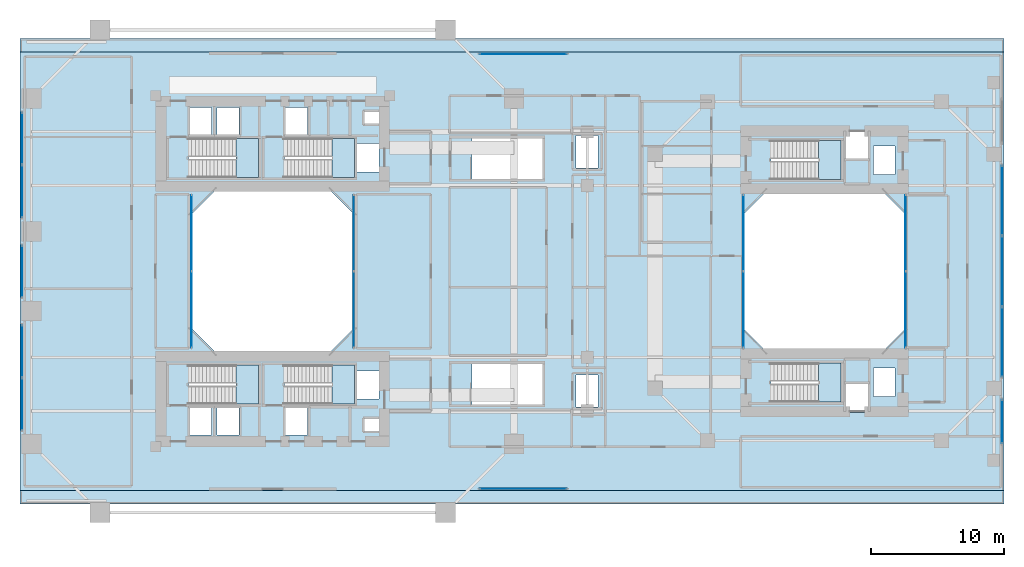
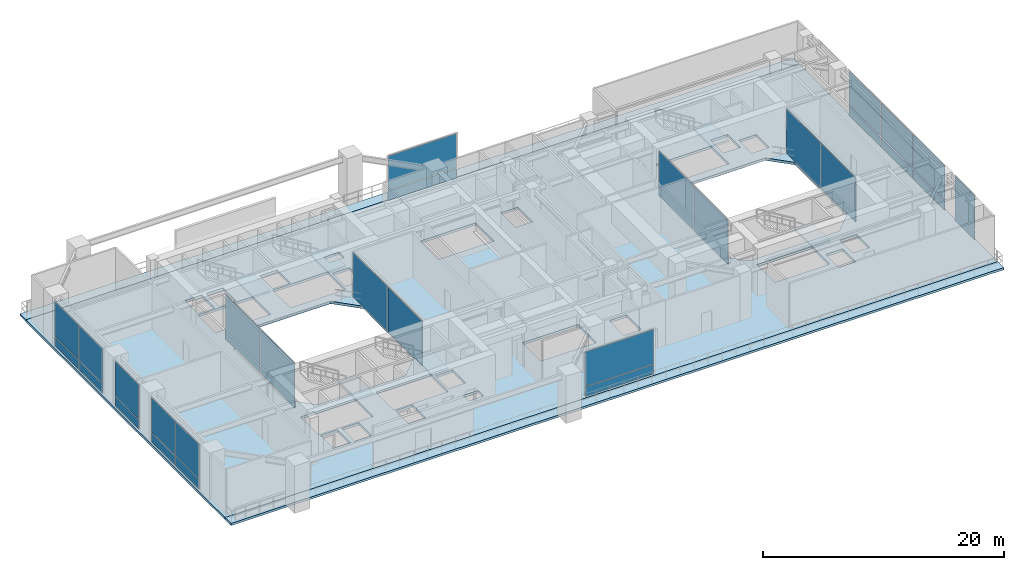
# One storey, part 10 of 19: 30 plates, 9 slabs, 17 elements without a shape of their own.
"""IFC4 building model written with IfcOpenShell, lengths in metres."""

import ifcopenshell
import ifcopenshell.guid

model = None  # the IFC model being written
_history = None  # IfcOwnerHistory: only IFC2X3 demands one
_inside = {}  # id of a spatial element -> (the spatial element, [elements in it])
_under = {}  # id of a project, library or spatial element -> (it, [spatial elements below it])
_declared = {}  # id of a project -> (the project, [libraries it declares])
_typed = {}  # id of a type object -> (the type object, [elements of that type])
_made_of = {}  # id of a material, layer set ... -> (it, [elements and type objects made of it])


def new_model(schema):
    """Start an empty IFC model of exactly this schema.

    Asked for "IFC4X3", IfcOpenShell would pick the latest addendum, in which some entities
    have other attributes; the version numbers below select the first issue.
    IFC2X3 requires an IfcOwnerHistory on every rooted entity: one is made here for all.
    """
    global model, _history
    if schema == "IFC4X3":
        model = ifcopenshell.file(schema_version=(4, 3, 0, 0))
    else:
        model = ifcopenshell.file(schema=schema)
    _inside.clear()
    _under.clear()
    _declared.clear()
    _typed.clear()
    _made_of.clear()
    _history = None
    if model.schema == "IFC2X3":
        org = make("IfcOrganization", Name="unknown")
        user = make(
            "IfcPersonAndOrganization",
            ThePerson=make("IfcPerson", FamilyName="unknown"),
            TheOrganization=org,
        )
        app = make(
            "IfcApplication",
            ApplicationDeveloper=org,
            Version="unknown",
            ApplicationFullName="unknown",
            ApplicationIdentifier="unknown",
        )
        _history = make(
            "IfcOwnerHistory",
            OwningUser=user,
            OwningApplication=app,
            ChangeAction="ADDED",
            CreationDate=0,
        )
    return model


def make(cls, **values):
    """One entity of the class cls with the attributes given. An attribute that is None is left unset."""
    return model.create_entity(
        cls, **{name: value for name, value in values.items() if value is not None}
    )


def rooted(cls, **values):
    """An entity with a GlobalId (a new one), such as an element, a storey or a relation."""
    return make(cls, GlobalId=ifcopenshell.guid.new(), OwnerHistory=_history, **values)


def si_unit(unit_type, name, prefix=None):
    """IfcSIUnit, for example si_unit("LENGTHUNIT", "METRE", prefix="MILLI")."""
    return make("IfcSIUnit", UnitType=unit_type, Prefix=prefix, Name=name)


def assignment(units):
    """IfcUnitAssignment: the units of a project."""
    return None if units is None else make("IfcUnitAssignment", Units=units)


def point(xyz):
    """IfcCartesianPoint."""
    return None if xyz is None else make("IfcCartesianPoint", Coordinates=xyz)


def direction(xyz):
    """IfcDirection."""
    return None if xyz is None else make("IfcDirection", DirectionRatios=xyz)


def frame(location, z_axis=None, x_axis=None):
    """IfcAxis2Placement3D, a coordinate frame: its origin and axes. An axis left out is left unset."""
    return make(
        "IfcAxis2Placement3D",
        Location=point(location),
        Axis=direction(z_axis),
        RefDirection=direction(x_axis),
    )


def frame_2d(location, x_axis=None):
    """IfcAxis2Placement2D, a coordinate frame in the plane: its origin and x axis."""
    return make(
        "IfcAxis2Placement2D", Location=point(location), RefDirection=direction(x_axis)
    )


def origin():
    """The frame at (0, 0, 0) with its axes left unset."""
    return frame((0.0, 0.0, 0.0))


def origin_2d():
    """The frame at (0, 0) in the plane with its x axis left unset."""
    return frame_2d((0.0, 0.0))


def place(relative_to, where):
    """IfcLocalPlacement: puts the frame where relative to a parent placement (None: the world)."""
    return make(
        "IfcLocalPlacement", PlacementRelTo=relative_to, RelativePlacement=where
    )


def context(
    kind, dimensions, precision=None, world=None, true_north=None, identifier=None
):
    """IfcGeometricRepresentationContext, for example the 3D "Model" context."""
    return make(
        "IfcGeometricRepresentationContext",
        ContextIdentifier=identifier,
        ContextType=kind,
        CoordinateSpaceDimension=dimensions,
        Precision=precision,
        WorldCoordinateSystem=world,
        TrueNorth=true_north,
    )


def subcontext(parent, identifier, kind, view, scale=None):
    """IfcGeometricRepresentationSubContext, for example "Body" below "Model"."""
    return make(
        "IfcGeometricRepresentationSubContext",
        ContextIdentifier=identifier,
        ContextType=kind,
        ParentContext=parent,
        TargetScale=scale,
        TargetView=view,
    )


def project(units=None, contexts=None):
    """IfcProject with its units and contexts."""
    return rooted(
        "IfcProject",
        Name="project",
        RepresentationContexts=contexts,
        UnitsInContext=assignment(units),
    )


def spatial(cls, under=None, at=None, **own):
    """A site, building, storey or space (cls), placed at a placement, below another one or the project."""
    s = rooted(cls, ObjectPlacement=at, **own)
    if under is not None:
        _under.setdefault(under.id(), (under, []))[1].append(s)
    return s


def polyline(points):
    """IfcPolyline through the points."""
    return make("IfcPolyline", Points=[point(p) for p in points])


def profile(cls, at=None, kind="AREA", **sizes):
    """A parametric profile (cls). Its sizes go by their IFC names, for example OverallWidth=200.0."""
    return make(cls, ProfileType=kind, Position=at, **sizes)


def rectangle(**sizes):
    """IfcRectangleProfileDef."""
    return profile("IfcRectangleProfileDef", **sizes)


def outline(outer, holes=None, kind="AREA"):
    """IfcArbitraryClosedProfileDef: a profile drawn as a closed curve; with holes, ...WithVoids."""
    if holes is None:
        return make("IfcArbitraryClosedProfileDef", ProfileType=kind, OuterCurve=outer)
    return make(
        "IfcArbitraryProfileDefWithVoids",
        ProfileType=kind,
        OuterCurve=outer,
        InnerCurves=holes,
    )


def extrude(swept, where, along, depth):
    """IfcExtrudedAreaSolid: the profile swept, set in the frame where, extruded along a direction by depth."""
    return make(
        "IfcExtrudedAreaSolid",
        SweptArea=swept,
        Position=where,
        ExtrudedDirection=direction(along),
        Depth=depth,
    )


def shape(context_of_items, identifier, shape_type, items):
    """IfcShapeRepresentation: the items that make up one representation, for example the "Body"."""
    return make(
        "IfcShapeRepresentation",
        ContextOfItems=context_of_items,
        RepresentationIdentifier=identifier,
        RepresentationType=shape_type,
        Items=items,
    )


def source(mapping_origin, context_of_items, identifier, shape_type, items):
    """IfcRepresentationMap: a shape defined once, which mapped items show again and again."""
    return make(
        "IfcRepresentationMap",
        MappingOrigin=mapping_origin,
        MappedRepresentation=shape(context_of_items, identifier, shape_type, items),
    )


def transform(
    local_origin,
    x_axis=None,
    y_axis=None,
    z_axis=None,
    scale=None,
    scale2=None,
    scale3=None,
    uniform=True,
):
    """IfcCartesianTransformationOperator3D, or its non-uniform kind. x_axis, y_axis, z_axis: its Axis1, 2, 3."""
    if uniform:
        return make(
            "IfcCartesianTransformationOperator3D",
            Axis1=direction(x_axis),
            Axis2=direction(y_axis),
            LocalOrigin=point(local_origin),
            Scale=scale,
            Axis3=direction(z_axis),
        )
    return make(
        "IfcCartesianTransformationOperator3DnonUniform",
        Axis1=direction(x_axis),
        Axis2=direction(y_axis),
        LocalOrigin=point(local_origin),
        Scale=scale,
        Axis3=direction(z_axis),
        Scale2=scale2,
        Scale3=scale3,
    )


def mapped(mapping_source, mapping_target):
    """IfcMappedItem: shows the shape of a source again, moved by a transform."""
    return make(
        "IfcMappedItem", MappingSource=mapping_source, MappingTarget=mapping_target
    )


def material(Name=None, Category=None):
    """IfcMaterial."""
    return make("IfcMaterial", Name=Name, Category=Category)


def layer(
    of_material, thickness, ventilated=None, Name=None, Category=None, Priority=None
):
    """IfcMaterialLayer: one layer of a wall or slab, of a material (None: an air gap)."""
    return make(
        "IfcMaterialLayer",
        Material=of_material,
        LayerThickness=thickness,
        IsVentilated=ventilated,
        Name=Name,
        Category=Category,
        Priority=Priority,
    )


def layer_set(layers, Name=None):
    """IfcMaterialLayerSet."""
    return make("IfcMaterialLayerSet", MaterialLayers=layers, LayerSetName=Name)


def made_of(thing, what):
    """Note that an element or type object is made of a material, layer set ...; save() writes the relation."""
    if what is not None:
        _made_of.setdefault(what.id(), (what, []))[1].append(thing)
    return thing


def type_object(cls, material=None, **own):
    """A type object (cls), such as IfcWallType, which elements share."""
    return made_of(rooted(cls, **own), material)


def element(
    cls,
    number,
    at=None,
    inside=None,
    cuts=None,
    type_object=None,
    material=None,
    context=None,
    identifier="Body",
    shape_type=None,
    held_by="IfcProductDefinitionShape",
    body=None,
    shapes=None,
    **own,
):
    """One element of the class cls, such as IfcWall. Its Tag is "e" and its number.

    at: its placement. inside: the storey or other place that contains it. cuts: it is an
    opening in that element (IfcRelVoidsElement). A single representation is given by context,
    identifier, shape_type and body (its items); several are given by shapes. held_by: the class
    of the entity that holds the representations. save() writes the other relations.
    """
    e = rooted(cls, Tag="e%d" % number, ObjectPlacement=at, **own)
    if body is not None:
        shapes = [shape(context, identifier, shape_type, body)]
    if shapes is not None:
        e.Representation = make(held_by, Representations=shapes)
    if inside is not None:
        _inside.setdefault(inside.id(), (inside, []))[1].append(e)
    if cuts is not None:
        rooted(
            "IfcRelVoidsElement", RelatingBuildingElement=cuts, RelatedOpeningElement=e
        )
    if type_object is not None:
        _typed.setdefault(type_object.id(), (type_object, []))[1].append(e)
    return made_of(e, material)


def aggregate(whole, parts):
    """IfcRelAggregates: a whole, such as a stair, and the parts it consists of."""
    return rooted("IfcRelAggregates", RelatingObject=whole, RelatedObjects=parts)


def save(model, path):
    """Write the relations noted so far, then the file.

    IfcRelAggregates (storeys below a building ...), IfcRelContainedInSpatialStructure (elements
    in a storey), IfcRelDefinesByType, IfcRelAssociatesMaterial and IfcRelDeclares: one each for
    every whole, place, type object, material and project.
    """
    for whole, parts in _under.values():
        aggregate(whole, parts)
    for where, things in _inside.values():
        rooted(
            "IfcRelContainedInSpatialStructure",
            RelatedElements=things,
            RelatingStructure=where,
        )
    for kind, things in _typed.values():
        rooted("IfcRelDefinesByType", RelatedObjects=things, RelatingType=kind)
    for what, things in _made_of.values():
        rooted("IfcRelAssociatesMaterial", RelatedObjects=things, RelatingMaterial=what)
    for by, libraries in _declared.values():
        rooted("IfcRelDeclares", RelatingContext=by, RelatedDefinitions=libraries)
    model.write(path)


model = new_model("IFC4")

# Units and contexts
model_context = context("Model", 3, precision=1e-05, world=origin(), true_north=direction((0.0, 1.0)))
body_context = subcontext(model_context, "Body", "Model", "MODEL_VIEW")
ifc_project = project(units=[si_unit("LENGTHUNIT", "METRE"), si_unit("AREAUNIT", "SQUARE_METRE"), si_unit("VOLUMEUNIT", "CUBIC_METRE"), si_unit("PLANEANGLEUNIT", "RADIAN"), si_unit("MASSUNIT", "GRAM", prefix="KILO"), si_unit("THERMODYNAMICTEMPERATUREUNIT", "KELVIN"), si_unit("POWERUNIT", "WATT")], contexts=[model_context])

# Site, building, storey
site_placement = place(None, origin())
site = spatial("IfcSite", under=ifc_project, at=site_placement, CompositionType="ELEMENT")
building_placement = place(site_placement, origin())
building = spatial("IfcBuilding", under=site, at=building_placement, Name="Qiaomeng Ring Towers", CompositionType="ELEMENT")
storey_placement = place(building_placement, frame((0.0, 0.0, 18.199951171875)))
storey = spatial("IfcBuildingStorey", under=building, at=storey_placement, Name="L04", CompositionType="ELEMENT", Elevation=18.199951171875)

# Slab
ifc_material_1 = material(Name="Concrete C40", Category="concrete")
ifc_layer_1 = layer(ifc_material_1, 0.25, Name="Concrete C40")
ifc_layer_set_1 = layer_set([ifc_layer_1], Name="Concrete C40")
slab_type_1 = type_object("IfcSlabType", Name="STR-SL-250", PredefinedType="FLOOR", material=ifc_layer_set_1)
slab_1_placement = place(storey_placement, frame((0.0, 0.0, -0.25)))
element("IfcSlab", 1, at=slab_1_placement, inside=storey, type_object=slab_type_1, Name="L04 Structural Floor Slab", PredefinedType="FLOOR", context=body_context, shape_type="SweptSolid", body=[
    extrude(outline(polyline([(0.0, 6.5), (74.0, 6.5), (74.0, 39.5), (0.0, 39.5), (0.0, 6.5)]), holes=[polyline([(12.780029296875, 12.820068359375), (14.419921875, 12.820068359375), (14.419921875, 10.679931640625), (12.780029296875, 10.679931640625), (12.780029296875, 12.820068359375)]), polyline([(16.469970703125, 12.820068359375), (16.469970703125, 10.679931640625), (14.830078125, 10.679931640625), (14.830078125, 12.820068359375), (16.469970703125, 12.820068359375)]), polyline([(21.6201171875, 12.820068359375), (21.6201171875, 10.679931640625), (19.97998046875, 10.679931640625), (19.97998046875, 12.820068359375), (21.6201171875, 12.820068359375)]), polyline([(27.0, 15.52001953125), (27.0, 13.3798828125), (25.360107421875, 13.3798828125), (25.360107421875, 15.52001953125), (27.0, 15.52001953125)]), polyline([(17.949951171875, 15.949951171875), (17.949951171875, 13.010009765625), (12.679931640625, 13.010009765625), (12.679931640625, 15.949951171875), (17.949951171875, 15.949951171875)]), polyline([(25.14990234375, 15.949951171875), (25.14990234375, 13.010009765625), (19.8798828125, 13.010009765625), (19.8798828125, 15.949951171875), (25.14990234375, 15.949951171875)]), polyline([(25.199951171875, 18.800048828125), (23.199951171875, 16.800048828125), (14.800048828125, 16.800048828125), (12.800048828125, 18.800048828125), (12.800048828125, 27.199951171875), (14.800048828125, 29.199951171875), (23.199951171875, 29.199951171875), (25.199951171875, 27.199951171875), (25.199951171875, 18.800048828125)]), polyline([(12.679931640625, 32.989990234375), (17.949951171875, 32.989990234375), (17.949951171875, 30.050048828125), (12.679931640625, 30.050048828125), (12.679931640625, 32.989990234375)]), polyline([(25.14990234375, 32.989990234375), (25.14990234375, 30.050048828125), (19.8798828125, 30.050048828125), (19.8798828125, 32.989990234375), (25.14990234375, 32.989990234375)]), polyline([(27.0, 32.6201171875), (27.0, 30.47998046875), (25.360107421875, 30.47998046875), (25.360107421875, 32.6201171875), (27.0, 32.6201171875)]), polyline([(14.419921875, 35.320068359375), (14.419921875, 33.179931640625), (12.780029296875, 33.179931640625), (12.780029296875, 35.320068359375), (14.419921875, 35.320068359375)]), polyline([(16.469970703125, 35.320068359375), (16.469970703125, 33.179931640625), (14.830078125, 33.179931640625), (14.830078125, 35.320068359375), (16.469970703125, 35.320068359375)]), polyline([(21.6201171875, 35.320068359375), (21.6201171875, 33.179931640625), (19.97998046875, 33.179931640625), (19.97998046875, 35.320068359375), (21.6201171875, 35.320068359375)]), polyline([(27.360107421875, 35.0), (27.360107421875, 34.10009765625), (25.919921875, 34.10009765625), (25.919921875, 35.0), (27.360107421875, 35.0)]), polyline([(25.919921875, 11.89990234375), (27.360107421875, 11.89990234375), (27.360107421875, 11.0), (25.919921875, 11.0), (25.919921875, 11.89990234375)]), polyline([(63.77001953125, 14.52001953125), (63.77001953125, 12.3798828125), (62.1298828125, 12.3798828125), (62.1298828125, 14.52001953125), (63.77001953125, 14.52001953125)]), polyline([(43.469970703125, 15.219970703125), (43.469970703125, 12.780029296875), (41.830078125, 12.780029296875), (41.830078125, 15.219970703125), (43.469970703125, 15.219970703125)]), polyline([(39.300048828125, 16.0400390625), (39.300048828125, 13.0), (33.989990234375, 13.0), (33.989990234375, 16.0400390625), (39.300048828125, 16.0400390625)]), polyline([(61.75, 16.10009765625), (61.75, 13.159912109375), (56.47998046875, 13.159912109375), (56.47998046875, 16.10009765625), (61.75, 16.10009765625)]), polyline([(65.820068359375, 15.719970703125), (65.820068359375, 13.580078125), (64.179931640625, 13.580078125), (64.179931640625, 15.719970703125), (65.820068359375, 15.719970703125)]), polyline([(66.60009765625, 27.300048828125), (66.60009765625, 18.699951171875), (64.800048828125, 16.89990234375), (56.199951171875, 16.89990234375), (54.39990234375, 18.699951171875), (54.39990234375, 27.300048828125), (56.199951171875, 29.10009765625), (64.800048828125, 29.10009765625), (66.60009765625, 27.300048828125)]), polyline([(65.820068359375, 32.419921875), (65.820068359375, 30.280029296875), (64.179931640625, 30.280029296875), (64.179931640625, 32.419921875), (65.820068359375, 32.419921875)]), polyline([(61.75, 32.840087890625), (61.75, 29.89990234375), (56.47998046875, 29.89990234375), (56.47998046875, 32.840087890625), (61.75, 32.840087890625)]), polyline([(39.300048828125, 33.0), (39.300048828125, 29.9599609375), (33.989990234375, 29.9599609375), (33.989990234375, 33.0), (39.300048828125, 33.0)]), polyline([(43.469970703125, 33.219970703125), (43.469970703125, 30.780029296875), (41.830078125, 30.780029296875), (41.830078125, 33.219970703125), (43.469970703125, 33.219970703125)]), polyline([(63.77001953125, 33.6201171875), (63.77001953125, 31.47998046875), (62.1298828125, 31.47998046875), (62.1298828125, 33.6201171875), (63.77001953125, 33.6201171875)])]), origin(), (0.0, 0.0, 1.0), 0.25),
])

# Stair, slab
ifc_material_2 = material(Name="Precast concrete C40", Category="concrete")
stair_type = type_object("IfcStairType", Name="ARC-ST-480", PredefinedType="HALF_TURN_STAIR", material=ifc_material_2)
stair_1_placement = place(storey_placement, origin())
stair_1 = element("IfcStair", 2, at=stair_1_placement, inside=storey, type_object=stair_type, Name="L04 Tower 1 North Stair 1", PredefinedType="HALF_TURN_STAIR")
ifc_layer_2 = layer(ifc_material_1, 0.199951171875, Name="Concrete C40")
ifc_layer_set_2 = layer_set([ifc_layer_2], Name="Concrete C40")
slab_type_2 = type_object("IfcSlabType", Name="STR-SL-LANDING", PredefinedType="LANDING", material=ifc_layer_set_2)
slab_2_placement = place(storey_placement, frame((0.0, 0.0, 2.199951171875)))
slab_2 = element("IfcSlab", 3, at=slab_2_placement, type_object=slab_type_2, Name="ST1 landing 1", PredefinedType="LANDING", context=body_context, shape_type="SweptSolid", body=[
    extrude(outline(polyline([(16.260009765625, 30.050048828125), (17.949951171875, 30.050048828125), (17.949951171875, 32.989990234375), (16.260009765625, 32.989990234375), (16.260009765625, 30.050048828125)])), origin(), (0.0, 0.0, 1.0), 0.2001953125),
])
aggregate(stair_1, [slab_2])

stair_2_placement = place(storey_placement, origin())
stair_2 = element("IfcStair", 4, at=stair_2_placement, inside=storey, type_object=stair_type, Name="L04 Tower 1 North Stair 2", PredefinedType="HALF_TURN_STAIR")
slab_3_placement = place(storey_placement, frame((0.0, 0.0, 2.199951171875)))
slab_3 = element("IfcSlab", 5, at=slab_3_placement, type_object=slab_type_2, Name="ST2 landing 1", PredefinedType="LANDING", context=body_context, shape_type="SweptSolid", body=[
    extrude(outline(polyline([(23.4599609375, 30.050048828125), (25.14990234375, 30.050048828125), (25.14990234375, 32.989990234375), (23.4599609375, 32.989990234375), (23.4599609375, 30.050048828125)])), origin(), (0.0, 0.0, 1.0), 0.2001953125),
])
aggregate(stair_2, [slab_3])

stair_3_placement = place(storey_placement, origin())
stair_3 = element("IfcStair", 6, at=stair_3_placement, inside=storey, type_object=stair_type, Name="L04 Tower 1 South Stair 3", PredefinedType="HALF_TURN_STAIR")
slab_4_placement = place(storey_placement, frame((0.0, 0.0, 2.199951171875)))
slab_4 = element("IfcSlab", 7, at=slab_4_placement, type_object=slab_type_2, Name="ST3 landing 1", PredefinedType="LANDING", context=body_context, shape_type="SweptSolid", body=[
    extrude(outline(polyline([(16.260009765625, 13.010009765625), (17.949951171875, 13.010009765625), (17.949951171875, 15.949951171875), (16.260009765625, 15.949951171875), (16.260009765625, 13.010009765625)])), origin(), (0.0, 0.0, 1.0), 0.2001953125),
])
aggregate(stair_3, [slab_4])

stair_4_placement = place(storey_placement, origin())
stair_4 = element("IfcStair", 8, at=stair_4_placement, inside=storey, type_object=stair_type, Name="L04 Tower 1 South Stair 4", PredefinedType="HALF_TURN_STAIR")
slab_5_placement = place(storey_placement, frame((0.0, 0.0, 2.199951171875)))
slab_5 = element("IfcSlab", 9, at=slab_5_placement, type_object=slab_type_2, Name="ST4 landing 1", PredefinedType="LANDING", context=body_context, shape_type="SweptSolid", body=[
    extrude(outline(polyline([(23.4599609375, 13.010009765625), (25.14990234375, 13.010009765625), (25.14990234375, 15.949951171875), (23.4599609375, 15.949951171875), (23.4599609375, 13.010009765625)])), origin(), (0.0, 0.0, 1.0), 0.2001953125),
])
aggregate(stair_4, [slab_5])

stair_5_placement = place(storey_placement, origin())
stair_5 = element("IfcStair", 10, at=stair_5_placement, inside=storey, type_object=stair_type, Name="L04 Companion North Stair 5", PredefinedType="HALF_TURN_STAIR")
slab_6_placement = place(storey_placement, frame((0.0, 0.0, 2.199951171875)))
slab_6 = element("IfcSlab", 11, at=slab_6_placement, type_object=slab_type_2, Name="ST5 landing 1", PredefinedType="LANDING", context=body_context, shape_type="SweptSolid", body=[
    extrude(outline(polyline([(60.06005859375, 29.89990234375), (61.75, 29.89990234375), (61.75, 32.840087890625), (60.06005859375, 32.840087890625), (60.06005859375, 29.89990234375)])), origin(), (0.0, 0.0, 1.0), 0.2001953125),
])
aggregate(stair_5, [slab_6])

stair_6_placement = place(storey_placement, origin())
stair_6 = element("IfcStair", 12, at=stair_6_placement, inside=storey, type_object=stair_type, Name="L04 Companion South Stair 6", PredefinedType="HALF_TURN_STAIR")
slab_7_placement = place(storey_placement, frame((0.0, 0.0, 2.199951171875)))
slab_7 = element("IfcSlab", 13, at=slab_7_placement, type_object=slab_type_2, Name="ST6 landing 1", PredefinedType="LANDING", context=body_context, shape_type="SweptSolid", body=[
    extrude(outline(polyline([(60.06005859375, 13.159912109375), (61.75, 13.159912109375), (61.75, 16.10009765625), (60.06005859375, 16.10009765625), (60.06005859375, 13.159912109375)])), origin(), (0.0, 0.0, 1.0), 0.2001953125),
])
aggregate(stair_6, [slab_7])

# Slabs
ifc_layer_3 = layer(ifc_material_1, 0.219970703125, Name="Concrete C40")
ifc_layer_set_3 = layer_set([ifc_layer_3], Name="Concrete C40")
slab_type_3 = type_object("IfcSlabType", Name="STR-SL-TERR220", PredefinedType="FLOOR", material=ifc_layer_set_3)
slab_8_placement = place(storey_placement, frame((0.0, 0.0, -0.219970703125)))
element("IfcSlab", 14, at=slab_8_placement, inside=storey, type_object=slab_type_3, Name="L04 South Planted Podium Roof Terrace Slab", PredefinedType="FLOOR", context=body_context, shape_type="SweptSolid", body=[
    extrude(outline(polyline([(0.0, 5.5), (74.0, 5.5), (74.0, 6.5), (0.0, 6.5), (0.0, 5.5)])), origin(), (0.0, 0.0, 1.0), 0.219970703125),
])
slab_9_placement = place(storey_placement, frame((0.0, 0.0, -0.219970703125)))
element("IfcSlab", 15, at=slab_9_placement, inside=storey, type_object=slab_type_3, Name="L04 North Planted Podium Roof Terrace Slab", PredefinedType="FLOOR", context=body_context, shape_type="SweptSolid", body=[
    extrude(outline(polyline([(0.0, 39.5), (74.0, 39.5), (74.0, 40.5), (0.0, 40.5), (0.0, 39.5)])), origin(), (0.0, 0.0, 1.0), 0.219970703125),
])

# Curtain wall, plates
ifc_material_3 = material(Name="Fluorocarbon dark-grey aluminium", Category="aluminium")
ifc_layer_4 = layer(ifc_material_3, 0.179931640625, Name="Fluorocarbon dark-grey aluminium")
ifc_layer_set_4 = layer_set([ifc_layer_4], Name="Fluorocarbon dark-grey aluminium")
curtain_wall_type_1 = type_object("IfcCurtainWallType", Name="ARC-CW-1", PredefinedType="NOTDEFINED", material=ifc_layer_set_4)
curtain_wall_1_placement = place(storey_placement, origin())
curtain_wall_1 = element("IfcCurtainWall", 16, at=curtain_wall_1_placement, inside=storey, type_object=curtain_wall_type_1, Name="L04 Curtain Wall CW1", PredefinedType="NOTDEFINED")
ifc_material_4 = material(Name="Low-E pale-green laminated safety glass", Category="glass")
ifc_layer_5 = layer(ifc_material_4, 0.031982421875, Name="Low-E pale-green laminated safety glass")
ifc_layer_set_5 = layer_set([ifc_layer_5], Name="Low-E pale-green laminated safety glass")
plate_type_1 = type_object("IfcPlateType", Name="ARC-CWP-GREEN", PredefinedType="CURTAIN_PANEL", material=ifc_layer_set_5)
shared_shape_1 = source(origin(), body_context, "Body", "SweptSolid", [
    extrude(rectangle(XDim=3.889892578125, YDim=0.031982421875, at=origin_2d()), origin(), (0.0, 0.0, 1.0), 0.945068359375),
])
plate_1_placement = place(storey_placement, frame((0.14990234375, 13.014892578125, 0.06982421875), z_axis=(0.0, 0.0, 1.0), x_axis=(0.0, 1.0, 0.0)))
plate_1 = element("IfcPlate", 17, at=plate_1_placement, type_object=plate_type_1, Name="CW1 panel 1.1", PredefinedType="CURTAIN_PANEL", context=body_context, shape_type="MappedRepresentation", body=[
    mapped(shared_shape_1, transform((0.0, 0.0, 0.0), x_axis=(1.0, 0.0, 0.0), y_axis=(0.0, 1.0, 0.0), z_axis=(0.0, 0.0, 1.0), scale=1.0)),
])
plate_2_placement = place(storey_placement, frame((0.14990234375, 16.985107421875, 0.06982421875), z_axis=(0.0, 0.0, 1.0), x_axis=(0.0, 1.0, 0.0)))
plate_2 = element("IfcPlate", 18, at=plate_2_placement, type_object=plate_type_1, Name="CW1 panel 2.1", PredefinedType="CURTAIN_PANEL", context=body_context, shape_type="MappedRepresentation", body=[
    mapped(shared_shape_1, transform((0.0, 0.0, 0.0), x_axis=(1.0, 0.0, 0.0), y_axis=(0.0, 1.0, 0.0), z_axis=(0.0, 0.0, 1.0), scale=1.0)),
])

curtain_wall_2_placement = place(storey_placement, origin())
curtain_wall_2 = element("IfcCurtainWall", 19, at=curtain_wall_2_placement, inside=storey, type_object=curtain_wall_type_1, Name="L04 Curtain Wall CW1", PredefinedType="NOTDEFINED")
plate_3_placement = place(storey_placement, frame((0.14990234375, 29.014892578125, 0.06982421875), z_axis=(0.0, 0.0, 1.0), x_axis=(0.0, 1.0, 0.0)))
plate_3 = element("IfcPlate", 20, at=plate_3_placement, type_object=plate_type_1, Name="CW1 panel 1.1", PredefinedType="CURTAIN_PANEL", context=body_context, shape_type="MappedRepresentation", body=[
    mapped(shared_shape_1, transform((0.0, 0.0, 0.0), x_axis=(1.0, 0.0, 0.0), y_axis=(0.0, 1.0, 0.0), z_axis=(0.0, 0.0, 1.0), scale=1.0)),
])
plate_4_placement = place(storey_placement, frame((0.14990234375, 32.985107421875, 0.06982421875), z_axis=(0.0, 0.0, 1.0), x_axis=(0.0, 1.0, 0.0)))
plate_4 = element("IfcPlate", 21, at=plate_4_placement, type_object=plate_type_1, Name="CW1 panel 2.1", PredefinedType="CURTAIN_PANEL", context=body_context, shape_type="MappedRepresentation", body=[
    mapped(shared_shape_1, transform((0.0, 0.0, 0.0), x_axis=(1.0, 0.0, 0.0), y_axis=(0.0, 1.0, 0.0), z_axis=(0.0, 0.0, 1.0), scale=1.0)),
])

# Curtain wall, plate
curtain_wall_3_placement = place(storey_placement, origin())
curtain_wall_3 = element("IfcCurtainWall", 22, at=curtain_wall_3_placement, inside=storey, type_object=curtain_wall_type_1, Name="L04 Curtain Wall CW1", PredefinedType="NOTDEFINED")
shared_shape_2 = source(origin(), body_context, "Body", "SweptSolid", [
    extrude(rectangle(XDim=3.860107421875, YDim=0.031982421875, at=origin_2d()), origin(), (0.0, 0.0, 1.0), 0.945068359375),
])
plate_5_placement = place(storey_placement, frame((0.14990234375, 23.0, 0.06982421875), z_axis=(0.0, 0.0, 1.0), x_axis=(0.0, 1.0, 0.0)))
plate_5 = element("IfcPlate", 23, at=plate_5_placement, type_object=plate_type_1, Name="CW1 panel 1.1", PredefinedType="CURTAIN_PANEL", context=body_context, shape_type="MappedRepresentation", body=[
    mapped(shared_shape_2, transform((0.0, 0.0, 0.0), x_axis=(1.0, 0.0, 0.0), y_axis=(0.0, 1.0, 0.0), z_axis=(0.0, 0.0, 1.0), scale=1.0)),
])

# Curtain wall, plates
curtain_wall_4_placement = place(storey_placement, origin())
curtain_wall_4 = element("IfcCurtainWall", 24, at=curtain_wall_4_placement, inside=storey, type_object=curtain_wall_type_1, Name="L04 Curtain Wall CW1", PredefinedType="NOTDEFINED")
shared_shape_3 = source(origin(), body_context, "Body", "SweptSolid", [
    extrude(rectangle(XDim=5.219970703125, YDim=0.031982421875, at=origin_2d()), origin(), (0.0, 0.0, 1.0), 0.945068359375),
])
plate_6_placement = place(storey_placement, frame((73.85009765625, 17.679931640625, 0.06982421875), z_axis=(0.0, 0.0, 1.0), x_axis=(0.0, 1.0, 0.0)))
plate_6 = element("IfcPlate", 25, at=plate_6_placement, type_object=plate_type_1, Name="CW1 panel 1.1", PredefinedType="CURTAIN_PANEL", context=body_context, shape_type="MappedRepresentation", body=[
    mapped(shared_shape_3, transform((0.0, 0.0, 0.0), x_axis=(1.0, 0.0, 0.0), y_axis=(0.0, 1.0, 0.0), z_axis=(0.0, 0.0, 1.0), scale=1.0)),
])
plate_7_placement = place(storey_placement, frame((73.85009765625, 28.320068359375, 0.06982421875), z_axis=(0.0, 0.0, 1.0), x_axis=(0.0, 1.0, 0.0)))
plate_7 = element("IfcPlate", 26, at=plate_7_placement, type_object=plate_type_1, Name="CW1 panel 3.1", PredefinedType="CURTAIN_PANEL", context=body_context, shape_type="MappedRepresentation", body=[
    mapped(shared_shape_3, transform((0.0, 0.0, 0.0), x_axis=(1.0, 0.0, 0.0), y_axis=(0.0, 1.0, 0.0), z_axis=(0.0, 0.0, 1.0), scale=1.0)),
])
shared_shape_4 = source(origin(), body_context, "Body", "SweptSolid", [
    extrude(rectangle(XDim=5.260009765625, YDim=0.031982421875, at=origin_2d()), origin(), (0.0, 0.0, 1.0), 0.945068359375),
])
plate_8_placement = place(storey_placement, frame((73.85009765625, 23.0, 0.06982421875), z_axis=(0.0, 0.0, 1.0), x_axis=(0.0, 1.0, 0.0)))
plate_8 = element("IfcPlate", 27, at=plate_8_placement, type_object=plate_type_1, Name="CW1 panel 2.1", PredefinedType="CURTAIN_PANEL", context=body_context, shape_type="MappedRepresentation", body=[
    mapped(shared_shape_4, transform((0.0, 0.0, 0.0), x_axis=(1.0, 0.0, 0.0), y_axis=(0.0, 1.0, 0.0), z_axis=(0.0, 0.0, 1.0), scale=1.0)),
])

# Curtain wall, plate
curtain_wall_5_placement = place(storey_placement, origin())
curtain_wall_5 = element("IfcCurtainWall", 28, at=curtain_wall_5_placement, inside=storey, type_object=curtain_wall_type_1, Name="L04 Curtain Wall CW1", PredefinedType="NOTDEFINED")
shared_shape_5 = source(origin(), body_context, "Body", "SweptSolid", [
    extrude(rectangle(XDim=3.25, YDim=0.031982421875, at=origin_2d()), origin(), (0.0, 0.0, 1.0), 0.945068359375),
])
plate_9_placement = place(storey_placement, frame((73.85009765625, 11.705078125, 0.06982421875), z_axis=(0.0, 0.0, 1.0), x_axis=(0.0, 1.0, 0.0)))
plate_9 = element("IfcPlate", 29, at=plate_9_placement, type_object=plate_type_1, Name="CW1 panel 1.1", PredefinedType="CURTAIN_PANEL", context=body_context, shape_type="MappedRepresentation", body=[
    mapped(shared_shape_5, transform((0.0, 0.0, 0.0), x_axis=(1.0, 0.0, 0.0), y_axis=(0.0, 1.0, 0.0), z_axis=(0.0, 0.0, 1.0), scale=1.0)),
])

curtain_wall_6_placement = place(storey_placement, origin())
curtain_wall_6 = element("IfcCurtainWall", 30, at=curtain_wall_6_placement, inside=storey, type_object=curtain_wall_type_1, Name="L04 Curtain Wall CW1", PredefinedType="NOTDEFINED")
shared_shape_6 = source(origin(), body_context, "Body", "SweptSolid", [
    extrude(rectangle(XDim=6.5400390625, YDim=0.031982421875, at=origin_2d()), origin(), (0.0, 0.0, 1.0), 0.945068359375),
])
plate_10_placement = place(storey_placement, frame((37.85009765625, 6.64990234375, 0.06982421875), z_axis=(0.0, 0.0, 1.0), x_axis=(1.0, 0.0, 0.0)))
plate_10 = element("IfcPlate", 31, at=plate_10_placement, type_object=plate_type_1, Name="CW1 panel 1.1", PredefinedType="CURTAIN_PANEL", context=body_context, shape_type="MappedRepresentation", body=[
    mapped(shared_shape_6, transform((0.0, 0.0, 0.0), x_axis=(1.0, 0.0, 0.0), y_axis=(0.0, 1.0, 0.0), z_axis=(0.0, 0.0, 1.0), scale=1.0)),
])

curtain_wall_7_placement = place(storey_placement, origin())
curtain_wall_7 = element("IfcCurtainWall", 32, at=curtain_wall_7_placement, inside=storey, type_object=curtain_wall_type_1, Name="L04 Curtain Wall CW1", PredefinedType="NOTDEFINED")
plate_11_placement = place(storey_placement, frame((37.85009765625, 39.35009765625, 0.06982421875), z_axis=(0.0, 0.0, 1.0), x_axis=(1.0, 0.0, 0.0)))
plate_11 = element("IfcPlate", 33, at=plate_11_placement, type_object=plate_type_1, Name="CW1 panel 1.1", PredefinedType="CURTAIN_PANEL", context=body_context, shape_type="MappedRepresentation", body=[
    mapped(shared_shape_6, transform((0.0, 0.0, 0.0), x_axis=(1.0, 0.0, 0.0), y_axis=(0.0, 1.0, 0.0), z_axis=(0.0, 0.0, 1.0), scale=1.0)),
])

# Plate
shared_shape_7 = source(origin(), body_context, "Body", "SweptSolid", [
    extrude(rectangle(XDim=3.889892578125, YDim=0.031982421875, at=origin_2d()), origin(), (0.0, 0.0, 1.0), 3.465087890625),
])
plate_12_placement = place(storey_placement, frame((0.14990234375, 13.014892578125, 1.0849609375), z_axis=(0.0, 0.0, 1.0), x_axis=(0.0, 1.0, 0.0)))
plate_12 = element("IfcPlate", 34, at=plate_12_placement, type_object=plate_type_1, Name="CW1 panel 1.2", PredefinedType="CURTAIN_PANEL", context=body_context, shape_type="MappedRepresentation", body=[
    mapped(shared_shape_7, transform((0.0, 0.0, 0.0), x_axis=(1.0, 0.0, 0.0), y_axis=(0.0, 1.0, 0.0), z_axis=(0.0, 0.0, 1.0), scale=1.0)),
])

plate_13_placement = place(storey_placement, frame((0.14990234375, 16.985107421875, 1.0849609375), z_axis=(0.0, 0.0, 1.0), x_axis=(0.0, 1.0, 0.0)))
plate_13 = element("IfcPlate", 35, at=plate_13_placement, type_object=plate_type_1, Name="CW1 panel 2.2", PredefinedType="CURTAIN_PANEL", context=body_context, shape_type="MappedRepresentation", body=[
    mapped(shared_shape_7, transform((0.0, 0.0, 0.0), x_axis=(1.0, 0.0, 0.0), y_axis=(0.0, 1.0, 0.0), z_axis=(0.0, 0.0, 1.0), scale=1.0)),
])

aggregate(curtain_wall_1, [plate_1, plate_12, plate_2, plate_13])

plate_14_placement = place(storey_placement, frame((0.14990234375, 29.014892578125, 1.0849609375), z_axis=(0.0, 0.0, 1.0), x_axis=(0.0, 1.0, 0.0)))
plate_14 = element("IfcPlate", 36, at=plate_14_placement, type_object=plate_type_1, Name="CW1 panel 1.2", PredefinedType="CURTAIN_PANEL", context=body_context, shape_type="MappedRepresentation", body=[
    mapped(shared_shape_7, transform((0.0, 0.0, 0.0), x_axis=(1.0, 0.0, 0.0), y_axis=(0.0, 1.0, 0.0), z_axis=(0.0, 0.0, 1.0), scale=1.0)),
])

plate_15_placement = place(storey_placement, frame((0.14990234375, 32.985107421875, 1.0849609375), z_axis=(0.0, 0.0, 1.0), x_axis=(0.0, 1.0, 0.0)))
plate_15 = element("IfcPlate", 37, at=plate_15_placement, type_object=plate_type_1, Name="CW1 panel 2.2", PredefinedType="CURTAIN_PANEL", context=body_context, shape_type="MappedRepresentation", body=[
    mapped(shared_shape_7, transform((0.0, 0.0, 0.0), x_axis=(1.0, 0.0, 0.0), y_axis=(0.0, 1.0, 0.0), z_axis=(0.0, 0.0, 1.0), scale=1.0)),
])

aggregate(curtain_wall_2, [plate_3, plate_14, plate_4, plate_15])

shared_shape_8 = source(origin(), body_context, "Body", "SweptSolid", [
    extrude(rectangle(XDim=3.860107421875, YDim=0.031982421875, at=origin_2d()), origin(), (0.0, 0.0, 1.0), 3.465087890625),
])
plate_16_placement = place(storey_placement, frame((0.14990234375, 23.0, 1.0849609375), z_axis=(0.0, 0.0, 1.0), x_axis=(0.0, 1.0, 0.0)))
plate_16 = element("IfcPlate", 38, at=plate_16_placement, type_object=plate_type_1, Name="CW1 panel 1.2", PredefinedType="CURTAIN_PANEL", context=body_context, shape_type="MappedRepresentation", body=[
    mapped(shared_shape_8, transform((0.0, 0.0, 0.0), x_axis=(1.0, 0.0, 0.0), y_axis=(0.0, 1.0, 0.0), z_axis=(0.0, 0.0, 1.0), scale=1.0)),
])

aggregate(curtain_wall_3, [plate_5, plate_16])

shared_shape_9 = source(origin(), body_context, "Body", "SweptSolid", [
    extrude(rectangle(XDim=3.25, YDim=0.031982421875, at=origin_2d()), origin(), (0.0, 0.0, 1.0), 3.465087890625),
])
plate_17_placement = place(storey_placement, frame((73.85009765625, 11.705078125, 1.0849609375), z_axis=(0.0, 0.0, 1.0), x_axis=(0.0, 1.0, 0.0)))
plate_17 = element("IfcPlate", 39, at=plate_17_placement, type_object=plate_type_1, Name="CW1 panel 1.2", PredefinedType="CURTAIN_PANEL", context=body_context, shape_type="MappedRepresentation", body=[
    mapped(shared_shape_9, transform((0.0, 0.0, 0.0), x_axis=(1.0, 0.0, 0.0), y_axis=(0.0, 1.0, 0.0), z_axis=(0.0, 0.0, 1.0), scale=1.0)),
])

aggregate(curtain_wall_5, [plate_9, plate_17])

shared_shape_10 = source(origin(), body_context, "Body", "SweptSolid", [
    extrude(rectangle(XDim=5.219970703125, YDim=0.031982421875, at=origin_2d()), origin(), (0.0, 0.0, 1.0), 3.465087890625),
])
plate_18_placement = place(storey_placement, frame((73.85009765625, 17.679931640625, 1.0849609375), z_axis=(0.0, 0.0, 1.0), x_axis=(0.0, 1.0, 0.0)))
plate_18 = element("IfcPlate", 40, at=plate_18_placement, type_object=plate_type_1, Name="CW1 panel 1.2", PredefinedType="CURTAIN_PANEL", context=body_context, shape_type="MappedRepresentation", body=[
    mapped(shared_shape_10, transform((0.0, 0.0, 0.0), x_axis=(1.0, 0.0, 0.0), y_axis=(0.0, 1.0, 0.0), z_axis=(0.0, 0.0, 1.0), scale=1.0)),
])

plate_19_placement = place(storey_placement, frame((73.85009765625, 28.320068359375, 1.0849609375), z_axis=(0.0, 0.0, 1.0), x_axis=(0.0, 1.0, 0.0)))
plate_19 = element("IfcPlate", 41, at=plate_19_placement, type_object=plate_type_1, Name="CW1 panel 3.2", PredefinedType="CURTAIN_PANEL", context=body_context, shape_type="MappedRepresentation", body=[
    mapped(shared_shape_10, transform((0.0, 0.0, 0.0), x_axis=(1.0, 0.0, 0.0), y_axis=(0.0, 1.0, 0.0), z_axis=(0.0, 0.0, 1.0), scale=1.0)),
])

shared_shape_11 = source(origin(), body_context, "Body", "SweptSolid", [
    extrude(rectangle(XDim=5.260009765625, YDim=0.031982421875, at=origin_2d()), origin(), (0.0, 0.0, 1.0), 3.465087890625),
])
plate_20_placement = place(storey_placement, frame((73.85009765625, 23.0, 1.0849609375), z_axis=(0.0, 0.0, 1.0), x_axis=(0.0, 1.0, 0.0)))
plate_20 = element("IfcPlate", 42, at=plate_20_placement, type_object=plate_type_1, Name="CW1 panel 2.2", PredefinedType="CURTAIN_PANEL", context=body_context, shape_type="MappedRepresentation", body=[
    mapped(shared_shape_11, transform((0.0, 0.0, 0.0), x_axis=(1.0, 0.0, 0.0), y_axis=(0.0, 1.0, 0.0), z_axis=(0.0, 0.0, 1.0), scale=1.0)),
])

aggregate(curtain_wall_4, [plate_6, plate_18, plate_8, plate_20, plate_7, plate_19])

shared_shape_12 = source(origin(), body_context, "Body", "SweptSolid", [
    extrude(rectangle(XDim=6.5400390625, YDim=0.031982421875, at=origin_2d()), origin(), (0.0, 0.0, 1.0), 3.465087890625),
])
plate_21_placement = place(storey_placement, frame((37.85009765625, 6.64990234375, 1.0849609375), z_axis=(0.0, 0.0, 1.0), x_axis=(1.0, 0.0, 0.0)))
plate_21 = element("IfcPlate", 43, at=plate_21_placement, type_object=plate_type_1, Name="CW1 panel 1.2", PredefinedType="CURTAIN_PANEL", context=body_context, shape_type="MappedRepresentation", body=[
    mapped(shared_shape_12, transform((0.0, 0.0, 0.0), x_axis=(1.0, 0.0, 0.0), y_axis=(0.0, 1.0, 0.0), z_axis=(0.0, 0.0, 1.0), scale=1.0)),
])

aggregate(curtain_wall_6, [plate_10, plate_21])

plate_22_placement = place(storey_placement, frame((37.85009765625, 39.35009765625, 1.0849609375), z_axis=(0.0, 0.0, 1.0), x_axis=(1.0, 0.0, 0.0)))
plate_22 = element("IfcPlate", 44, at=plate_22_placement, type_object=plate_type_1, Name="CW1 panel 1.2", PredefinedType="CURTAIN_PANEL", context=body_context, shape_type="MappedRepresentation", body=[
    mapped(shared_shape_12, transform((0.0, 0.0, 0.0), x_axis=(1.0, 0.0, 0.0), y_axis=(0.0, 1.0, 0.0), z_axis=(0.0, 0.0, 1.0), scale=1.0)),
])

aggregate(curtain_wall_7, [plate_11, plate_22])

# Curtain wall, plates
ifc_layer_6 = layer(ifc_material_3, 0.139892578125, Name="Fluorocarbon dark-grey aluminium")
ifc_layer_set_6 = layer_set([ifc_layer_6], Name="Fluorocarbon dark-grey aluminium")
curtain_wall_type_2 = type_object("IfcCurtainWallType", Name="ARC-CW-4", PredefinedType="NOTDEFINED", material=ifc_layer_set_6)
curtain_wall_8_placement = place(storey_placement, origin())
curtain_wall_8 = element("IfcCurtainWall", 45, at=curtain_wall_8_placement, inside=storey, type_object=curtain_wall_type_2, Name="L04 Curtain Wall CW4", PredefinedType="NOTDEFINED")
ifc_material_5 = material(Name="Low-E dark-grey laminated double glazing", Category="glass")
ifc_layer_7 = layer(ifc_material_5, 0.028076171875, Name="Low-E dark-grey laminated double glazing")
ifc_layer_set_7 = layer_set([ifc_layer_7], Name="Low-E dark-grey laminated double glazing")
plate_type_2 = type_object("IfcPlateType", Name="ARC-CWP-DARK", PredefinedType="CURTAIN_PANEL", material=ifc_layer_set_7)
shared_shape_13 = source(origin(), body_context, "Body", "SweptSolid", [
    extrude(rectangle(XDim=5.702392578125, YDim=0.028076171875, at=origin_2d()), origin(), (0.0, 0.0, 1.0), 4.489990234375),
])
plate_23_placement = place(storey_placement, frame((12.89990234375, 20.1162109375, 0.06494140625), z_axis=(0.0, 0.0, 1.0), x_axis=(0.0, 1.0, 0.0)))
plate_23 = element("IfcPlate", 46, at=plate_23_placement, type_object=plate_type_2, Name="CW4 panel 1.1", PredefinedType="CURTAIN_PANEL", context=body_context, shape_type="MappedRepresentation", body=[
    mapped(shared_shape_13, transform((0.0, 0.0, 0.0), x_axis=(1.0, 0.0, 0.0), y_axis=(0.0, 1.0, 0.0), z_axis=(0.0, 0.0, 1.0), scale=1.0)),
])
plate_24_placement = place(storey_placement, frame((12.89990234375, 25.8837890625, 0.06494140625), z_axis=(0.0, 0.0, 1.0), x_axis=(0.0, 1.0, 0.0)))
plate_24 = element("IfcPlate", 47, at=plate_24_placement, type_object=plate_type_2, Name="CW4 panel 2.1", PredefinedType="CURTAIN_PANEL", context=body_context, shape_type="MappedRepresentation", body=[
    mapped(shared_shape_13, transform((0.0, 0.0, 0.0), x_axis=(1.0, 0.0, 0.0), y_axis=(0.0, 1.0, 0.0), z_axis=(0.0, 0.0, 1.0), scale=1.0)),
])
aggregate(curtain_wall_8, [plate_23, plate_24])

curtain_wall_9_placement = place(storey_placement, origin())
curtain_wall_9 = element("IfcCurtainWall", 48, at=curtain_wall_9_placement, inside=storey, type_object=curtain_wall_type_2, Name="L04 Curtain Wall CW4", PredefinedType="NOTDEFINED")
plate_25_placement = place(storey_placement, frame((25.10009765625, 20.1162109375, 0.06494140625), z_axis=(0.0, 0.0, 1.0), x_axis=(0.0, 1.0, 0.0)))
plate_25 = element("IfcPlate", 49, at=plate_25_placement, type_object=plate_type_2, Name="CW4 panel 1.1", PredefinedType="CURTAIN_PANEL", context=body_context, shape_type="MappedRepresentation", body=[
    mapped(shared_shape_13, transform((0.0, 0.0, 0.0), x_axis=(1.0, 0.0, 0.0), y_axis=(0.0, 1.0, 0.0), z_axis=(0.0, 0.0, 1.0), scale=1.0)),
])
plate_26_placement = place(storey_placement, frame((25.10009765625, 25.8837890625, 0.06494140625), z_axis=(0.0, 0.0, 1.0), x_axis=(0.0, 1.0, 0.0)))
plate_26 = element("IfcPlate", 50, at=plate_26_placement, type_object=plate_type_2, Name="CW4 panel 2.1", PredefinedType="CURTAIN_PANEL", context=body_context, shape_type="MappedRepresentation", body=[
    mapped(shared_shape_13, transform((0.0, 0.0, 0.0), x_axis=(1.0, 0.0, 0.0), y_axis=(0.0, 1.0, 0.0), z_axis=(0.0, 0.0, 1.0), scale=1.0)),
])
aggregate(curtain_wall_9, [plate_25, plate_26])

curtain_wall_10_placement = place(storey_placement, origin())
curtain_wall_10 = element("IfcCurtainWall", 51, at=curtain_wall_10_placement, inside=storey, type_object=curtain_wall_type_2, Name="L04 Curtain Wall CW4", PredefinedType="NOTDEFINED")
plate_27_placement = place(storey_placement, frame((54.39990234375, 20.1162109375, 0.06494140625), z_axis=(0.0, 0.0, 1.0), x_axis=(0.0, 1.0, 0.0)))
plate_27 = element("IfcPlate", 52, at=plate_27_placement, type_object=plate_type_2, Name="CW4 panel 1.1", PredefinedType="CURTAIN_PANEL", context=body_context, shape_type="MappedRepresentation", body=[
    mapped(shared_shape_13, transform((0.0, 0.0, 0.0), x_axis=(1.0, 0.0, 0.0), y_axis=(0.0, 1.0, 0.0), z_axis=(0.0, 0.0, 1.0), scale=1.0)),
])
plate_28_placement = place(storey_placement, frame((54.39990234375, 25.8837890625, 0.06494140625), z_axis=(0.0, 0.0, 1.0), x_axis=(0.0, 1.0, 0.0)))
plate_28 = element("IfcPlate", 53, at=plate_28_placement, type_object=plate_type_2, Name="CW4 panel 2.1", PredefinedType="CURTAIN_PANEL", context=body_context, shape_type="MappedRepresentation", body=[
    mapped(shared_shape_13, transform((0.0, 0.0, 0.0), x_axis=(1.0, 0.0, 0.0), y_axis=(0.0, 1.0, 0.0), z_axis=(0.0, 0.0, 1.0), scale=1.0)),
])
aggregate(curtain_wall_10, [plate_27, plate_28])

curtain_wall_11_placement = place(storey_placement, origin())
curtain_wall_11 = element("IfcCurtainWall", 54, at=curtain_wall_11_placement, inside=storey, type_object=curtain_wall_type_2, Name="L04 Curtain Wall CW4", PredefinedType="NOTDEFINED")
plate_29_placement = place(storey_placement, frame((66.60009765625, 20.1162109375, 0.06494140625), z_axis=(0.0, 0.0, 1.0), x_axis=(0.0, 1.0, 0.0)))
plate_29 = element("IfcPlate", 55, at=plate_29_placement, type_object=plate_type_2, Name="CW4 panel 1.1", PredefinedType="CURTAIN_PANEL", context=body_context, shape_type="MappedRepresentation", body=[
    mapped(shared_shape_13, transform((0.0, 0.0, 0.0), x_axis=(1.0, 0.0, 0.0), y_axis=(0.0, 1.0, 0.0), z_axis=(0.0, 0.0, 1.0), scale=1.0)),
])
plate_30_placement = place(storey_placement, frame((66.60009765625, 25.8837890625, 0.06494140625), z_axis=(0.0, 0.0, 1.0), x_axis=(0.0, 1.0, 0.0)))
plate_30 = element("IfcPlate", 56, at=plate_30_placement, type_object=plate_type_2, Name="CW4 panel 2.1", PredefinedType="CURTAIN_PANEL", context=body_context, shape_type="MappedRepresentation", body=[
    mapped(shared_shape_13, transform((0.0, 0.0, 0.0), x_axis=(1.0, 0.0, 0.0), y_axis=(0.0, 1.0, 0.0), z_axis=(0.0, 0.0, 1.0), scale=1.0)),
])
aggregate(curtain_wall_11, [plate_29, plate_30])

save(model, "model.ifc")
